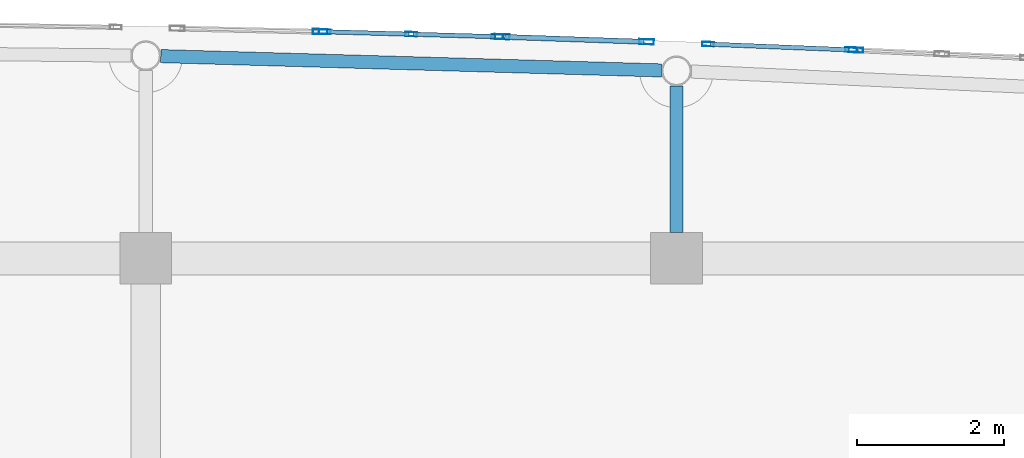
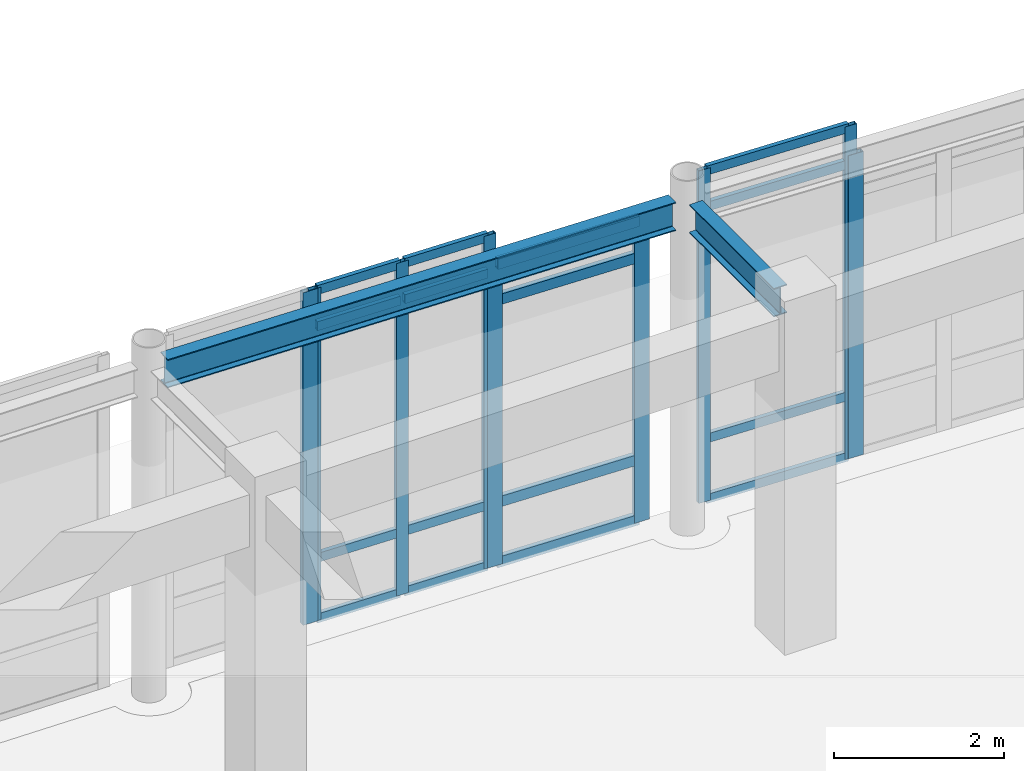
# One storey, part 52 of 117: 25 members, 2 beams, 5 elements without a shape of their own.
"""IFC4 building model written with IfcOpenShell, lengths in metres."""

from ifc_helpers import new_model, si_unit, direction, frame, origin, origin_2d, place, context, subcontext, project, spatial, hollow_rectangle, i_section, extrude, material, layer, layer_set, material_profile, profile_set, type_object, element, aggregate, save


model = new_model("IFC4")

# Units and contexts
model_context = context("Model", 3, precision=1e-05, world=origin(), true_north=direction((0.0, 1.0)))
body_context = subcontext(model_context, "Body", "Model", "MODEL_VIEW")
ifc_project = project(units=[si_unit("LENGTHUNIT", "METRE"), si_unit("AREAUNIT", "SQUARE_METRE"), si_unit("VOLUMEUNIT", "CUBIC_METRE"), si_unit("PLANEANGLEUNIT", "RADIAN"), si_unit("MASSUNIT", "GRAM", prefix="KILO")], contexts=[model_context])

# Site, building, storey
site_placement = place(None, origin())
site = spatial("IfcSite", under=ifc_project, at=site_placement, CompositionType="ELEMENT")
building_placement = place(site_placement, origin())
building = spatial("IfcBuilding", under=site, at=building_placement, Name="Carrowvane Square Congress Hotel", CompositionType="ELEMENT")
storey_placement = place(building_placement, frame((0.0, 0.0, 5.39990234375)))
storey = spatial("IfcBuildingStorey", under=building, at=storey_placement, Name="L01", CompositionType="ELEMENT", Elevation=5.39990234375)

# Beams
ifc_material_1 = material(Name="Steel S355", Category="steel")
ifc_material_profile_1 = material_profile(ifc_material_1, i_section(OverallWidth=0.1787109375, OverallDepth=0.409423828125, WebThickness=0.0087890625, FlangeThickness=0.014404296875, FilletRadius=0.01025390625, at=origin_2d()), Name="UKB 406x178x67")
ifc_profile_set_1 = profile_set([ifc_material_profile_1], Name="Steel S355")
beam_type = type_object("IfcBeamType", Name="BM-ST-UKB406", PredefinedType="BEAM", material=ifc_profile_set_1)
beam_1_placement = place(storey_placement, frame((105.403076171875, 116.14404296875, 4.575439453125), z_axis=(0.999591118992, -0.02859361522, 0.0), x_axis=(0.02859361522, 0.999591118992, 0.0)))
element("IfcBeam", 1, at=beam_1_placement, inside=storey, type_object=beam_type, Name="L02 curved north spandrel", PredefinedType="BEAM", context=body_context, shape_type="SweptSolid", body=[
    extrude(i_section(OverallWidth=0.1787109375, OverallDepth=0.409423828125, WebThickness=0.0087890625, FlangeThickness=0.014404296875, FilletRadius=0.01025390625, at=origin_2d()), origin(), (0.0, 0.0, 1.0), 6.79638671875),
])
beam_2_placement = place(storey_placement, frame((112.39990234375, 113.75, 4.575439453125), z_axis=(0.0, 1.0, 0.0), x_axis=(-1.0, 0.0, 0.0)))
element("IfcBeam", 2, at=beam_2_placement, inside=storey, type_object=beam_type, Name="L02 radial north beam 15", PredefinedType="BEAM", context=body_context, shape_type="SweptSolid", body=[
    extrude(i_section(OverallWidth=0.1787109375, OverallDepth=0.409423828125, WebThickness=0.0087890625, FlangeThickness=0.014404296875, FilletRadius=0.01025390625, at=origin_2d()), origin(), (0.0, 0.0, 1.0), 1.99072265625),
])

# Curtain wall, members
ifc_material_2 = material(Name="Anodised aluminium", Category="aluminium")
ifc_layer_1 = layer(ifc_material_2, 0.2099609375)
ifc_layer_set_1 = layer_set([ifc_layer_1], Name="Anodised aluminium")
curtain_wall_type_1 = type_object("IfcCurtainWallType", Name="CW-SYS-5", PredefinedType="NOTDEFINED", material=ifc_layer_set_1)
curtain_wall_1_placement = place(storey_placement, origin())
curtain_wall_1 = element("IfcCurtainWall", 3, at=curtain_wall_1_placement, inside=storey, type_object=curtain_wall_type_1, Name="L01 unitised curtain wall 92", PredefinedType="NOTDEFINED")
ifc_material_3 = material(Name="Anodised aluminium", Category="aluminium")
ifc_material_profile_2 = material_profile(ifc_material_3, hollow_rectangle(XDim=0.06005859375, YDim=0.159912109375, WallThickness=0.00390625, at=origin_2d()), Name="CW-ML 60x160x4")
ifc_profile_set_2 = profile_set([ifc_material_profile_2], Name="Anodised aluminium")
member_type_1 = type_object("IfcMemberType", Name="CW-MUL-1", PredefinedType="MULLION", material=ifc_profile_set_2)
member_1_placement = place(storey_placement, frame((107.6298828125, 116.474853515625, 0.0), z_axis=(0.0, 0.0, 1.0), x_axis=(0.028638010501, 0.999589848065, 0.0)))
member_1 = element("IfcMember", 4, at=member_1_placement, type_object=member_type_1, Name="CW-5 mullion 1", PredefinedType="MULLION", context=body_context, shape_type="SweptSolid", body=[
    extrude(hollow_rectangle(XDim=0.06005859375, YDim=0.159912109375, WallThickness=0.00390625, at=origin_2d()), origin(), (0.0, 0.0, 1.0), 4.780029296875),
])
member_2_placement = place(storey_placement, frame((108.800048828125, 116.44140625, 0.0), z_axis=(0.0, 0.0, 1.0), x_axis=(0.028638010501, 0.999589848065, 0.0)))
member_2 = element("IfcMember", 5, at=member_2_placement, type_object=member_type_1, Name="CW-5 mullion 2", PredefinedType="MULLION", context=body_context, shape_type="SweptSolid", body=[
    extrude(hollow_rectangle(XDim=0.06005859375, YDim=0.159912109375, WallThickness=0.00390625, at=origin_2d()), origin(), (0.0, 0.0, 1.0), 4.780029296875),
])
member_3_placement = place(storey_placement, frame((109.969970703125, 116.40771484375, 0.0), z_axis=(0.0, 0.0, 1.0), x_axis=(0.028638010501, 0.999589848065, 0.0)))
member_3 = element("IfcMember", 6, at=member_3_placement, type_object=member_type_1, Name="CW-5 mullion 3", PredefinedType="MULLION", context=body_context, shape_type="SweptSolid", body=[
    extrude(hollow_rectangle(XDim=0.06005859375, YDim=0.159912109375, WallThickness=0.00390625, at=origin_2d()), origin(), (0.0, 0.0, 1.0), 4.780029296875),
])

ifc_material_4 = material(Name="Anodised aluminium", Category="aluminium")
ifc_layer_2 = layer(ifc_material_4, 0.23388671875)
ifc_layer_set_2 = layer_set([ifc_layer_2], Name="Anodised aluminium")
curtain_wall_type_2 = type_object("IfcCurtainWallType", Name="CW-SYS-7", PredefinedType="NOTDEFINED", material=ifc_layer_set_2)
curtain_wall_2_placement = place(storey_placement, origin())
curtain_wall_2 = element("IfcCurtainWall", 7, at=curtain_wall_2_placement, inside=storey, type_object=curtain_wall_type_2, Name="L01 unitised curtain wall 94", PredefinedType="NOTDEFINED")
member_4_placement = place(storey_placement, frame((112.828857421875, 116.306884765625, 0.0), z_axis=(0.0, 0.0, 1.0), x_axis=(0.040130957403, 0.999194428656, 0.0)))
member_4 = element("IfcMember", 8, at=member_4_placement, type_object=member_type_1, Name="CW-7 mullion 1", PredefinedType="MULLION", context=body_context, shape_type="SweptSolid", body=[
    extrude(hollow_rectangle(XDim=0.06005859375, YDim=0.159912109375, WallThickness=0.00390625, at=origin_2d()), origin(), (0.0, 0.0, 1.0), 4.780029296875),
])
member_5_placement = place(storey_placement, frame((114.77001953125, 116.228759765625, 0.0), z_axis=(0.0, 0.0, 1.0), x_axis=(0.040130957403, 0.999194428656, 0.0)))
member_5 = element("IfcMember", 9, at=member_5_placement, type_object=member_type_1, Name="CW-7 mullion 2", PredefinedType="MULLION", context=body_context, shape_type="SweptSolid", body=[
    extrude(hollow_rectangle(XDim=0.06005859375, YDim=0.159912109375, WallThickness=0.00390625, at=origin_2d()), origin(), (0.0, 0.0, 1.0), 4.780029296875),
])

# Curtain wall, member
ifc_material_5 = material(Name="Anodised aluminium", Category="aluminium")
ifc_layer_3 = layer(ifc_material_5, 0.197998046875)
ifc_layer_set_3 = layer_set([ifc_layer_3], Name="Anodised aluminium")
curtain_wall_type_3 = type_object("IfcCurtainWallType", Name="CW-SYS-4", PredefinedType="NOTDEFINED", material=ifc_layer_set_3)
curtain_wall_3_placement = place(storey_placement, origin())
curtain_wall_3 = element("IfcCurtainWall", 10, at=curtain_wall_3_placement, inside=storey, type_object=curtain_wall_type_3, Name="L01 unitised curtain wall 91", PredefinedType="NOTDEFINED")
ifc_material_6 = material(Name="Anodised aluminium", Category="aluminium")
ifc_material_profile_3 = material_profile(ifc_material_6, hollow_rectangle(XDim=0.070068359375, YDim=0.199951171875, WallThickness=0.0048828125, at=origin_2d()), Name="CW-ML 70x200x5")
ifc_profile_set_3 = profile_set([ifc_material_profile_3], Name="Anodised aluminium")
member_type_2 = type_object("IfcMemberType", Name="CW-MUL-2", PredefinedType="MULLION", material=ifc_profile_set_3)
member_6_placement = place(storey_placement, frame((107.56494140625, 116.4765625, 0.0), z_axis=(0.0, 0.0, 1.0), x_axis=(0.022517686606, 0.99974644475, 0.0)))
member_6 = element("IfcMember", 11, at=member_6_placement, type_object=member_type_2, Name="CW-4 mullion 2", PredefinedType="MULLION", context=body_context, shape_type="SweptSolid", body=[
    extrude(hollow_rectangle(XDim=0.070068359375, YDim=0.199951171875, WallThickness=0.0048828125, at=origin_2d()), origin(), (0.0, 0.0, 1.0), 4.780029296875),
])
aggregate(curtain_wall_3, [member_6])

# Curtain wall, members
ifc_material_7 = material(Name="Anodised aluminium", Category="aluminium")
ifc_layer_4 = layer(ifc_material_7, 0.221923828125)
ifc_layer_set_4 = layer_set([ifc_layer_4], Name="Anodised aluminium")
curtain_wall_type_4 = type_object("IfcCurtainWallType", Name="CW-SYS-6", PredefinedType="NOTDEFINED", material=ifc_layer_set_4)
curtain_wall_4_placement = place(storey_placement, origin())
curtain_wall_4 = element("IfcCurtainWall", 12, at=curtain_wall_4_placement, inside=storey, type_object=curtain_wall_type_4, Name="L01 unitised curtain wall 93", PredefinedType="NOTDEFINED")
member_7_placement = place(storey_placement, frame((110.034912109375, 116.40576171875, 0.0), z_axis=(0.0, 0.0, 1.0), x_axis=(0.034529948347, 0.999403663525, 0.0)))
member_7 = element("IfcMember", 13, at=member_7_placement, type_object=member_type_2, Name="CW-6 mullion 1", PredefinedType="MULLION", context=body_context, shape_type="SweptSolid", body=[
    extrude(hollow_rectangle(XDim=0.070068359375, YDim=0.199951171875, WallThickness=0.0048828125, at=origin_2d()), origin(), (0.0, 0.0, 1.0), 4.355712890625),
])
member_8_placement = place(storey_placement, frame((111.99462890625, 116.338134765625, 0.0), z_axis=(0.0, 0.0, 1.0), x_axis=(0.034529948347, 0.999403663525, 0.0)))
member_8 = element("IfcMember", 14, at=member_8_placement, type_object=member_type_2, Name="CW-6 mullion 2", PredefinedType="MULLION", context=body_context, shape_type="SweptSolid", body=[
    extrude(hollow_rectangle(XDim=0.070068359375, YDim=0.199951171875, WallThickness=0.0048828125, at=origin_2d()), origin(), (0.0, 0.0, 1.0), 4.355712890625),
])

# Curtain wall, member
ifc_material_8 = material(Name="Anodised aluminium", Category="aluminium")
ifc_layer_5 = layer(ifc_material_8, 0.24609375)
ifc_layer_set_5 = layer_set([ifc_layer_5], Name="Anodised aluminium")
curtain_wall_type_5 = type_object("IfcCurtainWallType", Name="CW-SYS-8", PredefinedType="NOTDEFINED", material=ifc_layer_set_5)
curtain_wall_5_placement = place(storey_placement, origin())
curtain_wall_5 = element("IfcCurtainWall", 15, at=curtain_wall_5_placement, inside=storey, type_object=curtain_wall_type_5, Name="L01 unitised curtain wall 95", PredefinedType="NOTDEFINED")
member_9_placement = place(storey_placement, frame((114.8349609375, 116.22607421875, 0.0), z_axis=(0.0, 0.0, 1.0), x_axis=(0.045411059449, 0.998968385726, 0.0)))
member_9 = element("IfcMember", 16, at=member_9_placement, type_object=member_type_2, Name="CW-8 mullion 1", PredefinedType="MULLION", context=body_context, shape_type="SweptSolid", body=[
    extrude(hollow_rectangle(XDim=0.070068359375, YDim=0.199951171875, WallThickness=0.0048828125, at=origin_2d()), origin(), (0.0, 0.0, 1.0), 4.355712890625),
])
aggregate(curtain_wall_5, [member_9])

# Member
ifc_material_9 = material(Name="Anodised aluminium", Category="aluminium")
ifc_material_profile_4 = material_profile(ifc_material_9, hollow_rectangle(XDim=0.06005859375, YDim=0.1298828125, WallThickness=0.00390625, at=origin_2d()), Name="CW-TR 60x130x4")
ifc_profile_set_4 = profile_set([ifc_material_profile_4], Name="Anodised aluminium")
member_type_3 = type_object("IfcMemberType", Name="CW-TRN-1", PredefinedType="USERDEFINED", material=ifc_profile_set_4)
member_10_placement = place(storey_placement, frame((107.659912109375, 116.473876953125, 0.030029296875), z_axis=(0.99959154835, -0.028578601558, 0.0), x_axis=(0.028578601558, 0.99959154835, 0.0)))
member_10 = element("IfcMember", 17, at=member_10_placement, type_object=member_type_3, Name="CW-5 transom 1.1", ObjectType="TRANSOM", PredefinedType="USERDEFINED", context=body_context, shape_type="SweptSolid", body=[
    extrude(hollow_rectangle(XDim=0.06005859375, YDim=0.1298828125, WallThickness=0.00390625, at=origin_2d()), origin(), (0.0, 0.0, 1.0), 1.110595703125),
])

member_11_placement = place(storey_placement, frame((107.659912109375, 116.473876953125, 0.900146484375), z_axis=(0.99959154835, -0.028578601558, 0.0), x_axis=(0.028578601558, 0.99959154835, 0.0)))
member_11 = element("IfcMember", 18, at=member_11_placement, type_object=member_type_3, Name="CW-5 transom 1.2", ObjectType="TRANSOM", PredefinedType="USERDEFINED", context=body_context, shape_type="SweptSolid", body=[
    extrude(hollow_rectangle(XDim=0.06005859375, YDim=0.1298828125, WallThickness=0.00390625, at=origin_2d()), origin(), (0.0, 0.0, 1.0), 1.110595703125),
])

member_12_placement = place(storey_placement, frame((107.659912109375, 116.473876953125, 4.22998046875), z_axis=(0.99959154835, -0.028578601558, 0.0), x_axis=(0.028578601558, 0.99959154835, 0.0)))
member_12 = element("IfcMember", 19, at=member_12_placement, type_object=member_type_3, Name="CW-5 transom 1.3", ObjectType="TRANSOM", PredefinedType="USERDEFINED", context=body_context, shape_type="SweptSolid", body=[
    extrude(hollow_rectangle(XDim=0.06005859375, YDim=0.1298828125, WallThickness=0.00390625, at=origin_2d()), origin(), (0.0, 0.0, 1.0), 1.110595703125),
])

member_13_placement = place(storey_placement, frame((107.659912109375, 116.473876953125, 4.75), z_axis=(0.99959154835, -0.028578601558, 0.0), x_axis=(0.028578601558, 0.99959154835, 0.0)))
member_13 = element("IfcMember", 20, at=member_13_placement, type_object=member_type_3, Name="CW-5 transom 1.4", ObjectType="TRANSOM", PredefinedType="USERDEFINED", context=body_context, shape_type="SweptSolid", body=[
    extrude(hollow_rectangle(XDim=0.06005859375, YDim=0.1298828125, WallThickness=0.00390625, at=origin_2d()), origin(), (0.0, 0.0, 1.0), 1.110595703125),
])

member_14_placement = place(storey_placement, frame((108.830078125, 116.4404296875, 0.030029296875), z_axis=(0.999591368743, -0.02858488296, 0.0), x_axis=(0.02858488296, 0.999591368743, 0.0)))
member_14 = element("IfcMember", 21, at=member_14_placement, type_object=member_type_3, Name="CW-5 transom 2.1", ObjectType="TRANSOM", PredefinedType="USERDEFINED", context=body_context, shape_type="SweptSolid", body=[
    extrude(hollow_rectangle(XDim=0.06005859375, YDim=0.1298828125, WallThickness=0.00390625, at=origin_2d()), origin(), (0.0, 0.0, 1.0), 1.1103515625),
])

member_15_placement = place(storey_placement, frame((108.830078125, 116.4404296875, 0.900146484375), z_axis=(0.999591368743, -0.02858488296, 0.0), x_axis=(0.02858488296, 0.999591368743, 0.0)))
member_15 = element("IfcMember", 22, at=member_15_placement, type_object=member_type_3, Name="CW-5 transom 2.2", ObjectType="TRANSOM", PredefinedType="USERDEFINED", context=body_context, shape_type="SweptSolid", body=[
    extrude(hollow_rectangle(XDim=0.06005859375, YDim=0.1298828125, WallThickness=0.00390625, at=origin_2d()), origin(), (0.0, 0.0, 1.0), 1.1103515625),
])

member_16_placement = place(storey_placement, frame((108.830078125, 116.4404296875, 4.22998046875), z_axis=(0.999591368743, -0.02858488296, 0.0), x_axis=(0.02858488296, 0.999591368743, 0.0)))
member_16 = element("IfcMember", 23, at=member_16_placement, type_object=member_type_3, Name="CW-5 transom 2.3", ObjectType="TRANSOM", PredefinedType="USERDEFINED", context=body_context, shape_type="SweptSolid", body=[
    extrude(hollow_rectangle(XDim=0.06005859375, YDim=0.1298828125, WallThickness=0.00390625, at=origin_2d()), origin(), (0.0, 0.0, 1.0), 1.1103515625),
])

member_17_placement = place(storey_placement, frame((108.830078125, 116.4404296875, 4.75), z_axis=(0.999591368743, -0.02858488296, 0.0), x_axis=(0.02858488296, 0.999591368743, 0.0)))
member_17 = element("IfcMember", 24, at=member_17_placement, type_object=member_type_3, Name="CW-5 transom 2.4", ObjectType="TRANSOM", PredefinedType="USERDEFINED", context=body_context, shape_type="SweptSolid", body=[
    extrude(hollow_rectangle(XDim=0.06005859375, YDim=0.1298828125, WallThickness=0.00390625, at=origin_2d()), origin(), (0.0, 0.0, 1.0), 1.1103515625),
])

aggregate(curtain_wall_1, [member_1, member_2, member_3, member_10, member_11, member_12, member_13, member_14, member_15, member_16, member_17])

member_18_placement = place(storey_placement, frame((112.85888671875, 116.3056640625, 0.030029296875), z_axis=(0.999191609431, -0.040201090061, 0.0), x_axis=(0.040201090061, 0.999191609431, 0.0)))
member_18 = element("IfcMember", 25, at=member_18_placement, type_object=member_type_3, Name="CW-7 transom 1.1", ObjectType="TRANSOM", PredefinedType="USERDEFINED", context=body_context, shape_type="SweptSolid", body=[
    extrude(hollow_rectangle(XDim=0.06005859375, YDim=0.1298828125, WallThickness=0.00390625, at=origin_2d()), origin(), (0.0, 0.0, 1.0), 1.882568359375),
])

member_19_placement = place(storey_placement, frame((112.85888671875, 116.3056640625, 0.900146484375), z_axis=(0.999191609431, -0.040201090061, 0.0), x_axis=(0.040201090061, 0.999191609431, 0.0)))
member_19 = element("IfcMember", 26, at=member_19_placement, type_object=member_type_3, Name="CW-7 transom 1.2", ObjectType="TRANSOM", PredefinedType="USERDEFINED", context=body_context, shape_type="SweptSolid", body=[
    extrude(hollow_rectangle(XDim=0.06005859375, YDim=0.1298828125, WallThickness=0.00390625, at=origin_2d()), origin(), (0.0, 0.0, 1.0), 1.882568359375),
])

member_20_placement = place(storey_placement, frame((112.85888671875, 116.3056640625, 4.22998046875), z_axis=(0.999191609431, -0.040201090061, 0.0), x_axis=(0.040201090061, 0.999191609431, 0.0)))
member_20 = element("IfcMember", 27, at=member_20_placement, type_object=member_type_3, Name="CW-7 transom 1.3", ObjectType="TRANSOM", PredefinedType="USERDEFINED", context=body_context, shape_type="SweptSolid", body=[
    extrude(hollow_rectangle(XDim=0.06005859375, YDim=0.1298828125, WallThickness=0.00390625, at=origin_2d()), origin(), (0.0, 0.0, 1.0), 1.882568359375),
])

member_21_placement = place(storey_placement, frame((112.85888671875, 116.3056640625, 4.75), z_axis=(0.999191609431, -0.040201090061, 0.0), x_axis=(0.040201090061, 0.999191609431, 0.0)))
member_21 = element("IfcMember", 28, at=member_21_placement, type_object=member_type_3, Name="CW-7 transom 1.4", ObjectType="TRANSOM", PredefinedType="USERDEFINED", context=body_context, shape_type="SweptSolid", body=[
    extrude(hollow_rectangle(XDim=0.06005859375, YDim=0.1298828125, WallThickness=0.00390625, at=origin_2d()), origin(), (0.0, 0.0, 1.0), 1.882568359375),
])

aggregate(curtain_wall_2, [member_4, member_5, member_18, member_19, member_20, member_21])

ifc_material_10 = material(Name="Anodised aluminium", Category="aluminium")
ifc_material_profile_5 = material_profile(ifc_material_10, hollow_rectangle(XDim=0.070068359375, YDim=0.14990234375, WallThickness=0.0048828125, at=origin_2d()), Name="CW-TR 70x150x5")
ifc_profile_set_5 = profile_set([ifc_material_profile_5], Name="Anodised aluminium")
member_type_4 = type_object("IfcMemberType", Name="CW-TRN-2", PredefinedType="USERDEFINED", material=ifc_profile_set_5)
member_22_placement = place(storey_placement, frame((110.070068359375, 116.404541015625, 0.03515625), z_axis=(0.999400927338, -0.034609051367, 0.0), x_axis=(0.034609051367, 0.999400927338, 0.0)))
member_22 = element("IfcMember", 29, at=member_22_placement, type_object=member_type_4, Name="CW-6 transom 1.1", ObjectType="TRANSOM", PredefinedType="USERDEFINED", context=body_context, shape_type="SweptSolid", body=[
    extrude(hollow_rectangle(XDim=0.070068359375, YDim=0.14990234375, WallThickness=0.0048828125, at=origin_2d()), origin(), (0.0, 0.0, 1.0), 1.890625),
])

member_23_placement = place(storey_placement, frame((110.070068359375, 116.404541015625, 0.900146484375), z_axis=(0.999400927338, -0.034609051367, 0.0), x_axis=(0.034609051367, 0.999400927338, 0.0)))
member_23 = element("IfcMember", 30, at=member_23_placement, type_object=member_type_4, Name="CW-6 transom 1.2", ObjectType="TRANSOM", PredefinedType="USERDEFINED", context=body_context, shape_type="SweptSolid", body=[
    extrude(hollow_rectangle(XDim=0.070068359375, YDim=0.14990234375, WallThickness=0.0048828125, at=origin_2d()), origin(), (0.0, 0.0, 1.0), 1.890625),
])

member_24_placement = place(storey_placement, frame((110.070068359375, 116.404541015625, 3.8056640625), z_axis=(0.999400927338, -0.034609051367, 0.0), x_axis=(0.034609051367, 0.999400927338, 0.0)))
member_24 = element("IfcMember", 31, at=member_24_placement, type_object=member_type_4, Name="CW-6 transom 1.3", ObjectType="TRANSOM", PredefinedType="USERDEFINED", context=body_context, shape_type="SweptSolid", body=[
    extrude(hollow_rectangle(XDim=0.070068359375, YDim=0.14990234375, WallThickness=0.0048828125, at=origin_2d()), origin(), (0.0, 0.0, 1.0), 1.890625),
])

member_25_placement = place(storey_placement, frame((110.070068359375, 116.404541015625, 4.32080078125), z_axis=(0.999400927338, -0.034609051367, 0.0), x_axis=(0.034609051367, 0.999400927338, 0.0)))
member_25 = element("IfcMember", 32, at=member_25_placement, type_object=member_type_4, Name="CW-6 transom 1.4", ObjectType="TRANSOM", PredefinedType="USERDEFINED", context=body_context, shape_type="SweptSolid", body=[
    extrude(hollow_rectangle(XDim=0.070068359375, YDim=0.14990234375, WallThickness=0.0048828125, at=origin_2d()), origin(), (0.0, 0.0, 1.0), 1.890625),
])

aggregate(curtain_wall_4, [member_7, member_8, member_22, member_23, member_24, member_25])

save(model, "model.ifc")
